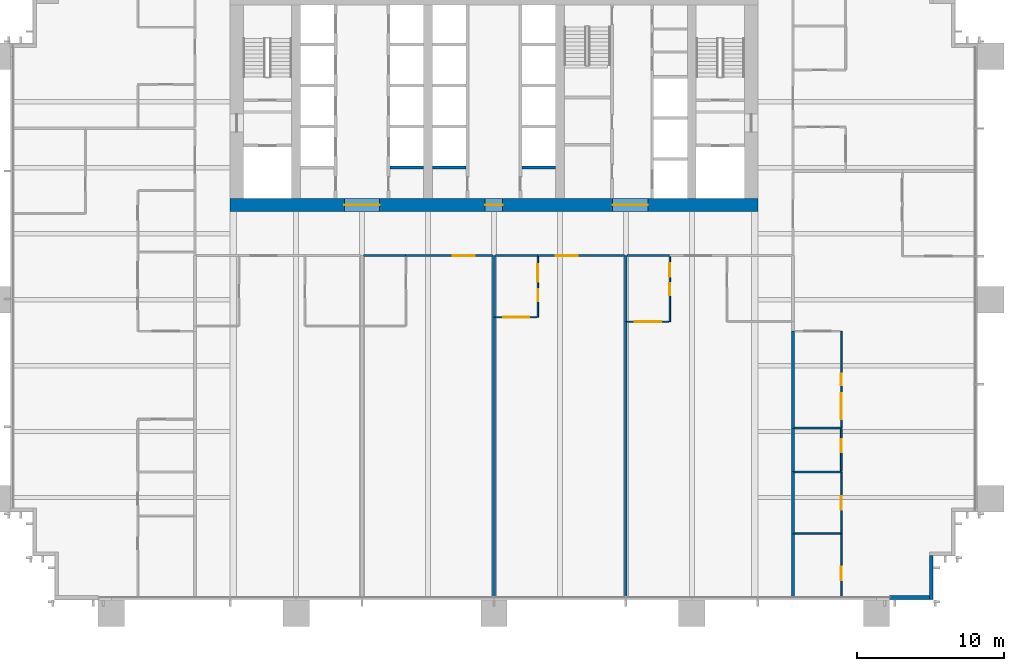
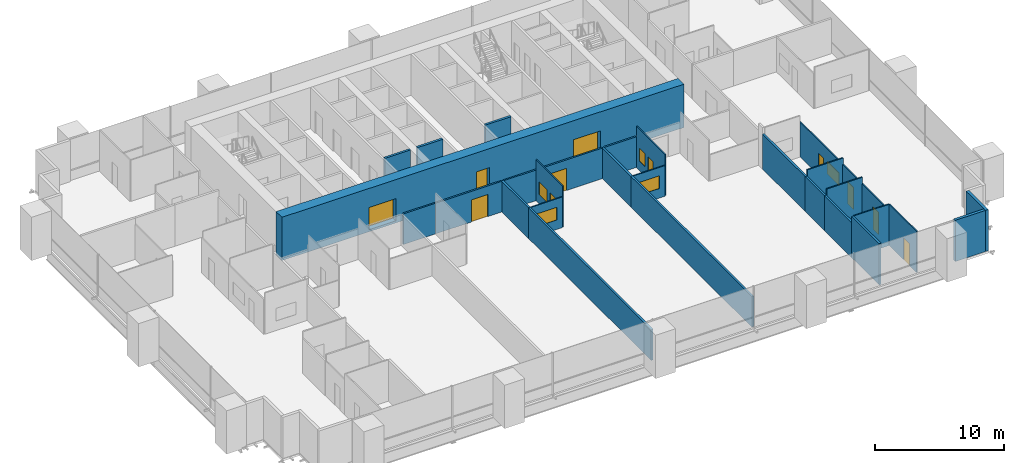
# One storey, part 12 of 18: 30 walls, 11 doors, 5 windows, 16 openings.
"""IFC4 building model written with IfcOpenShell, lengths in metres."""

from ifc_helpers import new_model, si_unit, direction, frame, frame_2d, origin, place, context, subcontext, project, spatial, rectangle, extrude, material, layer, layer_set, type_object, element, fill, save


model = new_model("IFC4")

# Units and contexts
model_context = context("Model", 3, precision=1e-05, world=origin(), true_north=direction((0.0, 1.0)))
body_context = subcontext(model_context, "Body", "Model", "MODEL_VIEW")
ifc_project = project(units=[si_unit("LENGTHUNIT", "METRE"), si_unit("AREAUNIT", "SQUARE_METRE"), si_unit("VOLUMEUNIT", "CUBIC_METRE"), si_unit("PLANEANGLEUNIT", "RADIAN"), si_unit("MASSUNIT", "GRAM", prefix="KILO")], contexts=[model_context])

# Site, building, storey
site_placement = place(None, origin())
site = spatial("IfcSite", under=ifc_project, at=site_placement, CompositionType="ELEMENT")
building_placement = place(site_placement, origin())
building = spatial("IfcBuilding", under=site, at=building_placement, Name="Rattan Terrace Tower", CompositionType="ELEMENT")
storey_placement = place(building_placement, frame((0.0, 0.0, 36.5)))
storey = spatial("IfcBuildingStorey", under=building, at=storey_placement, Name="L07", CompositionType="ELEMENT", Elevation=36.5)

# Wall, openings, doors
ifc_material_1 = material(Name="Concrete C70/85", Category="concrete")
ifc_layer_1 = layer(ifc_material_1, 0.89990234375)
ifc_layer_set_1 = layer_set([ifc_layer_1], Name="Core ring wall 900 C70/85")
wall_type_1 = type_object("IfcWallType", Name="Core ring wall 900 C70/85", PredefinedType="SHEAR", material=ifc_layer_set_1)
wall_1_placement = place(storey_placement, frame((-18.0, -7.050048828125, -0.199951171875), z_axis=(0.0, 0.0, 1.0), x_axis=(1.0, 0.0, 0.0)))
wall_1 = element("IfcWall", 1, at=wall_1_placement, inside=storey, type_object=wall_type_1, Name="Rear core wall south", PredefinedType="SHEAR", context=body_context, shape_type="SweptSolid", body=[
    extrude(rectangle(XDim=36.0, YDim=0.89990234375, at=frame_2d((18.0, 0.0))), origin(), (0.0, 0.0, 1.0), 4.099853515625),
])
opening_1_placement = place(wall_1_placement, frame((7.800048828125, 0.0, 0.199951171875)))
opening_1 = element("IfcOpeningElement", 2, at=opening_1_placement, cuts=wall_1, Name="Opening L07-D007", PredefinedType="OPENING", context=body_context, shape_type="SweptSolid", body=[
    extrude(rectangle(XDim=2.39990234375, YDim=2.10009765625, at=frame_2d((1.199951171875, 1.050048828125))), frame((0.0, 0.46044921875, 0.0), z_axis=(0.0, -1.0, 0.0), x_axis=(1.0, 0.0, 0.0)), (0.0, 0.0, 1.0), 0.9208984375),
])
opening_2_placement = place(wall_1_placement, frame((17.39990234375, 0.0, 0.199951171875)))
opening_2 = element("IfcOpeningElement", 3, at=opening_2_placement, cuts=wall_1, Name="Opening L07-D010", PredefinedType="OPENING", context=body_context, shape_type="SweptSolid", body=[
    extrude(rectangle(XDim=1.199951171875, YDim=2.10009765625, at=frame_2d((0.60009765625, 1.050048828125))), frame((0.0, 0.46044921875, 0.0), z_axis=(0.0, -1.0, 0.0), x_axis=(1.0, 0.0, 0.0)), (0.0, 0.0, 1.0), 0.9208984375),
])
opening_3_placement = place(wall_1_placement, frame((26.10009765625, 0.0, 0.199951171875)))
opening_3 = element("IfcOpeningElement", 4, at=opening_3_placement, cuts=wall_1, Name="Opening L07-D014", PredefinedType="OPENING", context=body_context, shape_type="SweptSolid", body=[
    extrude(rectangle(XDim=2.39990234375, YDim=2.10009765625, at=frame_2d((1.199951171875, 1.050048828125))), frame((0.0, 0.46044921875, 0.0), z_axis=(0.0, -1.0, 0.0), x_axis=(1.0, 0.0, 0.0)), (0.0, 0.0, 1.0), 0.9208984375),
])
ifc_material_2 = material(Name="Hollow-metal fire door leaf")
door_type_1 = type_object("IfcDoorType", Name="Core lift lobby door 2400", OperationType="NOTDEFINED", PredefinedType="DOOR", material=ifc_material_2)
door_1_placement = place(opening_1_placement, origin())
door_1 = element("IfcDoor", 5, at=door_1_placement, inside=storey, type_object=door_type_1, Name="Door L07-D007", OperationType="DOUBLE_DOOR_DOUBLE_SWING", OverallHeight=2.10009765625, OverallWidth=2.39990234375, PredefinedType="DOOR", context=body_context, shape_type="SweptSolid", body=[
    extrude(rectangle(XDim=2.39990234375, YDim=2.10009765625, at=frame_2d((1.199951171875, 1.050048828125))), frame((0.0, 0.02490234375, 0.0), z_axis=(0.0, -1.0, 0.0), x_axis=(1.0, 0.0, 0.0)), (0.0, 0.0, 1.0), 0.050048828125),
])
fill(opening_1, door_1)
door_2_placement = place(opening_3_placement, origin())
door_2 = element("IfcDoor", 6, at=door_2_placement, inside=storey, type_object=door_type_1, Name="Door L07-D014", OperationType="DOUBLE_DOOR_DOUBLE_SWING", OverallHeight=2.10009765625, OverallWidth=2.39990234375, PredefinedType="DOOR", context=body_context, shape_type="SweptSolid", body=[
    extrude(rectangle(XDim=2.39990234375, YDim=2.10009765625, at=frame_2d((1.199951171875, 1.050048828125))), frame((0.0, 0.02490234375, 0.0), z_axis=(0.0, -1.0, 0.0), x_axis=(1.0, 0.0, 0.0)), (0.0, 0.0, 1.0), 0.050048828125),
])
fill(opening_3, door_2)
ifc_material_3 = material(Name="Hollow-metal fire door leaf")
door_type_2 = type_object("IfcDoorType", Name="Core riser door 1200", OperationType="NOTDEFINED", PredefinedType="DOOR", material=ifc_material_3)
door_3_placement = place(opening_2_placement, origin())
door_3 = element("IfcDoor", 7, at=door_3_placement, inside=storey, type_object=door_type_2, Name="Door L07-D010", OperationType="SINGLE_SWING_LEFT", OverallHeight=2.10009765625, OverallWidth=1.199951171875, PredefinedType="DOOR", context=body_context, shape_type="SweptSolid", body=[
    extrude(rectangle(XDim=1.199951171875, YDim=2.10009765625, at=frame_2d((0.60009765625, 1.050048828125))), frame((0.0, 0.02490234375, 0.0), z_axis=(0.0, -1.0, 0.0), x_axis=(1.0, 0.0, 0.0)), (0.0, 0.0, 1.0), 0.050048828125),
])
fill(opening_2, door_3)

# Walls
ifc_material_4 = material(Name="Insulated aluminium-clad stud wall", Category="aluminium")
ifc_layer_2 = layer(ifc_material_4, 0.25)
ifc_layer_set_2 = layer_set([ifc_layer_2], Name="Facade Riser Wall 250")
wall_type_2 = type_object("IfcWallType", Name="Facade Riser Wall 250", PredefinedType="SOLIDWALL", material=ifc_layer_set_2)
wall_2_placement = place(storey_placement, frame((27.0, -33.830078125, 0.0), z_axis=(0.0, 0.0, 1.0), x_axis=(1.0, 0.0, 0.0)))
element("IfcWall", 8, at=wall_2_placement, inside=storey, type_object=wall_type_2, Name="Riser wall L07-1", PredefinedType="SOLIDWALL", context=body_context, shape_type="SweptSolid", body=[
    extrude(rectangle(XDim=2.705078125, YDim=0.25, at=frame_2d((1.3525390625, 0.0))), origin(), (0.0, 0.0, 1.0), 3.89990234375),
])
wall_3_placement = place(storey_placement, frame((29.830078125, -33.955078125, 0.0), z_axis=(0.0, 0.0, 1.0), x_axis=(0.0, 1.0, 0.0)))
element("IfcWall", 9, at=wall_3_placement, inside=storey, type_object=wall_type_2, Name="Riser wall L07-2", PredefinedType="SOLIDWALL", context=body_context, shape_type="SweptSolid", body=[
    extrude(rectangle(XDim=3.0, YDim=0.25, at=frame_2d((1.5, 0.0))), origin(), (0.0, 0.0, 1.0), 3.89990234375),
])
ifc_material_5 = material(Name="Double steel stud acoustic partition, gypsum board, mineral wool, fire rated", Category="steel")
ifc_layer_3 = layer(ifc_material_5, 0.179931640625)
ifc_layer_set_3 = layer_set([ifc_layer_3], Name="Floors Acoustic Party Wall 180")
wall_type_3 = type_object("IfcWallType", Name="Floors Acoustic Party Wall 180", PredefinedType="PARTITIONING", material=ifc_layer_set_3)
wall_4_placement = place(storey_placement, frame((0.0, -14.679931640625, 0.0), z_axis=(0.0, 0.0, 1.0), x_axis=(0.0, -1.0, 0.0)))
element("IfcWall", 10, at=wall_4_placement, inside=storey, type_object=wall_type_3, Name="pt-L07-056", PredefinedType="PARTITIONING", context=body_context, shape_type="SweptSolid", body=[
    extrude(rectangle(XDim=19.06005859375, YDim=0.179931640625, at=frame_2d((9.530029296875, 0.0))), origin(), (0.0, 0.0, 1.0), 2.89990234375),
])
wall_5_placement = place(storey_placement, frame((0.0, -10.5, 0.0), z_axis=(0.0, 0.0, 1.0), x_axis=(0.0, -1.0, 0.0)))
element("IfcWall", 11, at=wall_5_placement, inside=storey, type_object=wall_type_3, Name="pt-L07-057", PredefinedType="PARTITIONING", context=body_context, shape_type="SweptSolid", body=[
    extrude(rectangle(XDim=4.179931640625, YDim=0.179931640625, at=frame_2d((2.08984375, 0.0))), origin(), (0.0, 0.0, 1.0), 2.89990234375),
])
wall_6_placement = place(storey_placement, frame((9.0, -14.97998046875, 0.0), z_axis=(0.0, 0.0, 1.0), x_axis=(0.0, -1.0, 0.0)))
element("IfcWall", 12, at=wall_6_placement, inside=storey, type_object=wall_type_3, Name="pt-L07-060", PredefinedType="PARTITIONING", context=body_context, shape_type="SweptSolid", body=[
    extrude(rectangle(XDim=18.760009765625, YDim=0.179931640625, at=frame_2d((9.3798828125, 0.0))), origin(), (0.0, 0.0, 1.0), 2.89990234375),
])
wall_7_placement = place(storey_placement, frame((9.0, -10.5, 0.0), z_axis=(0.0, 0.0, 1.0), x_axis=(0.0, -1.0, 0.0)))
element("IfcWall", 13, at=wall_7_placement, inside=storey, type_object=wall_type_3, Name="pt-L07-061", PredefinedType="PARTITIONING", context=body_context, shape_type="SweptSolid", body=[
    extrude(rectangle(XDim=4.47998046875, YDim=0.179931640625, at=frame_2d((2.239990234375, 0.0))), origin(), (0.0, 0.0, 1.0), 2.89990234375),
])
wall_8_placement = place(storey_placement, frame((20.39990234375, -29.47998046875, 0.0), z_axis=(0.0, 0.0, 1.0), x_axis=(0.0, -1.0, 0.0)))
element("IfcWall", 14, at=wall_8_placement, inside=storey, type_object=wall_type_3, Name="pt-L07-067", PredefinedType="PARTITIONING", context=body_context, shape_type="SweptSolid", body=[
    extrude(rectangle(XDim=4.260009765625, YDim=0.179931640625, at=frame_2d((2.1298828125, 0.0))), origin(), (0.0, 0.0, 1.0), 3.89990234375),
])
wall_9_placement = place(storey_placement, frame((20.39990234375, -25.239990234375, 0.0), z_axis=(0.0, 0.0, 1.0), x_axis=(0.0, -1.0, 0.0)))
element("IfcWall", 15, at=wall_9_placement, inside=storey, type_object=wall_type_3, Name="pt-L07-068", PredefinedType="PARTITIONING", context=body_context, shape_type="SweptSolid", body=[
    extrude(rectangle(XDim=4.239990234375, YDim=0.179931640625, at=frame_2d((2.1201171875, 0.0))), origin(), (0.0, 0.0, 1.0), 3.300048828125),
])
wall_10_placement = place(storey_placement, frame((20.39990234375, -22.280029296875, 0.0), z_axis=(0.0, 0.0, 1.0), x_axis=(0.0, -1.0, 0.0)))
element("IfcWall", 16, at=wall_10_placement, inside=storey, type_object=wall_type_3, Name="pt-L07-069", PredefinedType="PARTITIONING", context=body_context, shape_type="SweptSolid", body=[
    extrude(rectangle(XDim=2.9599609375, YDim=0.179931640625, at=frame_2d((1.47998046875, 0.0))), origin(), (0.0, 0.0, 1.0), 3.300048828125),
])
wall_11_placement = place(storey_placement, frame((20.39990234375, -15.639892578125, 0.0), z_axis=(0.0, 0.0, 1.0), x_axis=(0.0, -1.0, 0.0)))
element("IfcWall", 17, at=wall_11_placement, inside=storey, type_object=wall_type_3, Name="pt-L07-070", PredefinedType="PARTITIONING", context=body_context, shape_type="SweptSolid", body=[
    extrude(rectangle(XDim=6.64013671875, YDim=0.179931640625, at=frame_2d((3.320068359375, 0.0))), origin(), (0.0, 0.0, 1.0), 3.300048828125),
])

# Wall, opening, window
ifc_material_6 = material(Name="Gypsum board partition on steel studs", Category="steel")
ifc_layer_4 = layer(ifc_material_6, 0.10009765625)
ifc_layer_set_4 = layer_set([ifc_layer_4], Name="Floors Partition 100")
wall_type_4 = type_object("IfcWallType", Name="Floors Partition 100", PredefinedType="PARTITIONING", material=ifc_layer_set_4)
wall_12_placement = place(storey_placement, frame((0.090087890625, -14.699951171875, 0.0), z_axis=(0.0, 0.0, 1.0), x_axis=(1.0, 0.0, 0.0)))
wall_12 = element("IfcWall", 18, at=wall_12_placement, inside=storey, type_object=wall_type_4, Name="pt-L07-058", PredefinedType="PARTITIONING", context=body_context, shape_type="SweptSolid", body=[
    extrude(rectangle(XDim=2.85986328125, YDim=0.10009765625, at=frame_2d((1.429931640625, 0.0))), origin(), (0.0, 0.0, 1.0), 2.89990234375),
])
opening_4_placement = place(wall_12_placement, frame((0.530029296875, 0.0, 0.89990234375)))
opening_4 = element("IfcOpeningElement", 19, at=opening_4_placement, cuts=wall_12, Name="Opening L07-W102", PredefinedType="OPENING", context=body_context, shape_type="SweptSolid", body=[
    extrude(rectangle(XDim=1.800048828125, YDim=1.199951171875, at=frame_2d((0.89990234375, 0.60009765625))), frame((0.0, 0.060546875, 0.0), z_axis=(0.0, -1.0, 0.0), x_axis=(1.0, 0.0, 0.0)), (0.0, 0.0, 1.0), 0.12109375),
])
ifc_material_7 = material(Name="Glass, clear, fixed in aluminium frame", Category="aluminium")
window_type_1 = type_object("IfcWindowType", Name="Interior Vision Window 1800x1200", PartitioningType="SINGLE_PANEL", PredefinedType="WINDOW", material=ifc_material_7)
window_1_placement = place(opening_4_placement, origin())
window_1 = element("IfcWindow", 20, at=window_1_placement, inside=storey, type_object=window_type_1, Name="w-L07-102", OverallHeight=1.199951171875, OverallWidth=1.800048828125, PartitioningType="SINGLE_PANEL", PredefinedType="WINDOW", context=body_context, shape_type="SweptSolid", body=[
    extrude(rectangle(XDim=1.800048828125, YDim=1.199951171875, at=frame_2d((0.89990234375, 0.60009765625))), frame((0.0, 0.030029296875, 0.0), z_axis=(0.0, -1.0, 0.0), x_axis=(1.0, 0.0, 0.0)), (0.0, 0.0, 1.0), 0.06005859375),
])
fill(opening_4, window_1)

# Wall, openings, door, window
wall_13_placement = place(storey_placement, frame((3.0, -14.699951171875, 0.0), z_axis=(0.0, 0.0, 1.0), x_axis=(0.0, 1.0, 0.0)))
wall_13 = element("IfcWall", 21, at=wall_13_placement, inside=storey, type_object=wall_type_4, Name="pt-L07-059", PredefinedType="PARTITIONING", context=body_context, shape_type="SweptSolid", body=[
    extrude(rectangle(XDim=4.125, YDim=0.10009765625, at=frame_2d((2.0625, 0.0))), origin(), (0.0, 0.0, 1.0), 3.89990234375),
])
opening_5_placement = place(wall_13_placement, frame((1.097900390625, 0.0, 0.0)))
opening_5 = element("IfcOpeningElement", 22, at=opening_5_placement, cuts=wall_13, Name="Opening L07-D116", PredefinedType="OPENING", context=body_context, shape_type="SweptSolid", body=[
    extrude(rectangle(XDim=0.800048828125, YDim=2.10009765625, at=frame_2d((0.39990234375, 1.050048828125))), frame((0.0, 0.060546875, 0.0), z_axis=(0.0, -1.0, 0.0), x_axis=(1.0, 0.0, 0.0)), (0.0, 0.0, 1.0), 0.12109375),
])
opening_6_placement = place(wall_13_placement, frame((2.410888671875, 0.0, 0.89990234375)))
opening_6 = element("IfcOpeningElement", 23, at=opening_6_placement, cuts=wall_13, Name="Opening L07-W103", PredefinedType="OPENING", context=body_context, shape_type="SweptSolid", body=[
    extrude(rectangle(XDim=1.199951171875, YDim=1.199951171875, at=frame_2d((0.60009765625, 0.60009765625))), frame((0.0, 0.060546875, 0.0), z_axis=(0.0, -1.0, 0.0), x_axis=(1.0, 0.0, 0.0)), (0.0, 0.0, 1.0), 0.12109375),
])
ifc_material_8 = material(Name="Solid core timber door, painted", Category="wood")
door_type_3 = type_object("IfcDoorType", Name="Floors Store Door 800x2100", OperationType="NOTDEFINED", PredefinedType="DOOR", material=ifc_material_8)
door_4_placement = place(opening_5_placement, origin())
door_4 = element("IfcDoor", 24, at=door_4_placement, inside=storey, type_object=door_type_3, Name="d-L07-116", OperationType="SINGLE_SWING_LEFT", OverallHeight=2.10009765625, OverallWidth=0.800048828125, PredefinedType="DOOR", context=body_context, shape_type="SweptSolid", body=[
    extrude(rectangle(XDim=0.800048828125, YDim=2.10009765625, at=frame_2d((0.39990234375, 1.050048828125))), frame((0.0, 0.02490234375, 0.0), z_axis=(0.0, -1.0, 0.0), x_axis=(1.0, 0.0, 0.0)), (0.0, 0.0, 1.0), 0.050048828125),
])
fill(opening_5, door_4)
ifc_material_9 = material(Name="Glass, clear, fixed in aluminium frame", Category="aluminium")
window_type_2 = type_object("IfcWindowType", Name="Interior Vision Window 1200x1200", PartitioningType="SINGLE_PANEL", PredefinedType="WINDOW", material=ifc_material_9)
window_2_placement = place(opening_6_placement, origin())
window_2 = element("IfcWindow", 25, at=window_2_placement, inside=storey, type_object=window_type_2, Name="w-L07-103", OverallHeight=1.199951171875, OverallWidth=1.199951171875, PartitioningType="SINGLE_PANEL", PredefinedType="WINDOW", context=body_context, shape_type="SweptSolid", body=[
    extrude(rectangle(XDim=1.199951171875, YDim=1.199951171875, at=frame_2d((0.60009765625, 0.60009765625))), frame((0.0, 0.030029296875, 0.0), z_axis=(0.0, -1.0, 0.0), x_axis=(1.0, 0.0, 0.0)), (0.0, 0.0, 1.0), 0.06005859375),
])
fill(opening_6, window_2)

# Wall, opening, window
wall_14_placement = place(storey_placement, frame((9.090087890625, -15.0, 0.0), z_axis=(0.0, 0.0, 1.0), x_axis=(1.0, 0.0, 0.0)))
wall_14 = element("IfcWall", 26, at=wall_14_placement, inside=storey, type_object=wall_type_4, Name="pt-L07-062", PredefinedType="PARTITIONING", context=body_context, shape_type="SweptSolid", body=[
    extrude(rectangle(XDim=2.85986328125, YDim=0.10009765625, at=frame_2d((1.429931640625, 0.0))), origin(), (0.0, 0.0, 1.0), 2.89990234375),
])
opening_7_placement = place(wall_14_placement, frame((0.530029296875, 0.0, 0.89990234375)))
opening_7 = element("IfcOpeningElement", 27, at=opening_7_placement, cuts=wall_14, Name="Opening L07-W104", PredefinedType="OPENING", context=body_context, shape_type="SweptSolid", body=[
    extrude(rectangle(XDim=1.800048828125, YDim=1.199951171875, at=frame_2d((0.89990234375, 0.60009765625))), frame((0.0, 0.060546875, 0.0), z_axis=(0.0, -1.0, 0.0), x_axis=(1.0, 0.0, 0.0)), (0.0, 0.0, 1.0), 0.12109375),
])
window_3_placement = place(opening_7_placement, origin())
window_3 = element("IfcWindow", 28, at=window_3_placement, inside=storey, type_object=window_type_1, Name="w-L07-104", OverallHeight=1.199951171875, OverallWidth=1.800048828125, PartitioningType="SINGLE_PANEL", PredefinedType="WINDOW", context=body_context, shape_type="SweptSolid", body=[
    extrude(rectangle(XDim=1.800048828125, YDim=1.199951171875, at=frame_2d((0.89990234375, 0.60009765625))), frame((0.0, 0.030029296875, 0.0), z_axis=(0.0, -1.0, 0.0), x_axis=(1.0, 0.0, 0.0)), (0.0, 0.0, 1.0), 0.06005859375),
])
fill(opening_7, window_3)

# Wall, openings, door, window
wall_15_placement = place(storey_placement, frame((12.0, -15.0, 0.0), z_axis=(0.0, 0.0, 1.0), x_axis=(0.0, 1.0, 0.0)))
wall_15 = element("IfcWall", 29, at=wall_15_placement, inside=storey, type_object=wall_type_4, Name="pt-L07-063", PredefinedType="PARTITIONING", context=body_context, shape_type="SweptSolid", body=[
    extrude(rectangle(XDim=4.425048828125, YDim=0.10009765625, at=frame_2d((2.21240234375, 0.0))), origin(), (0.0, 0.0, 1.0), 3.89990234375),
])
opening_8_placement = place(wall_15_placement, frame((1.81298828125, 0.0, 0.0)))
opening_8 = element("IfcOpeningElement", 30, at=opening_8_placement, cuts=wall_15, Name="Opening L07-D118", PredefinedType="OPENING", context=body_context, shape_type="SweptSolid", body=[
    extrude(rectangle(XDim=0.800048828125, YDim=2.10009765625, at=frame_2d((0.39990234375, 1.050048828125))), frame((0.0, 0.060546875, 0.0), z_axis=(0.0, -1.0, 0.0), x_axis=(1.0, 0.0, 0.0)), (0.0, 0.0, 1.0), 0.12109375),
])
opening_9_placement = place(wall_15_placement, frame((3.069091796875, 0.0, 0.89990234375)))
opening_9 = element("IfcOpeningElement", 31, at=opening_9_placement, cuts=wall_15, Name="Opening L07-W105", PredefinedType="OPENING", context=body_context, shape_type="SweptSolid", body=[
    extrude(rectangle(XDim=0.89990234375, YDim=1.199951171875, at=frame_2d((0.449951171875, 0.60009765625))), frame((0.0, 0.060546875, 0.0), z_axis=(0.0, -1.0, 0.0), x_axis=(1.0, 0.0, 0.0)), (0.0, 0.0, 1.0), 0.12109375),
])
door_5_placement = place(opening_8_placement, origin())
door_5 = element("IfcDoor", 32, at=door_5_placement, inside=storey, type_object=door_type_3, Name="d-L07-118", OperationType="SINGLE_SWING_LEFT", OverallHeight=2.10009765625, OverallWidth=0.800048828125, PredefinedType="DOOR", context=body_context, shape_type="SweptSolid", body=[
    extrude(rectangle(XDim=0.800048828125, YDim=2.10009765625, at=frame_2d((0.39990234375, 1.050048828125))), frame((0.0, 0.02490234375, 0.0), z_axis=(0.0, -1.0, 0.0), x_axis=(1.0, 0.0, 0.0)), (0.0, 0.0, 1.0), 0.050048828125),
])
fill(opening_8, door_5)
ifc_material_10 = material(Name="Glass, clear, fixed in aluminium frame", Category="aluminium")
window_type_3 = type_object("IfcWindowType", Name="Interior Vision Window 900x1200", PartitioningType="SINGLE_PANEL", PredefinedType="WINDOW", material=ifc_material_10)
window_4_placement = place(opening_9_placement, origin())
window_4 = element("IfcWindow", 33, at=window_4_placement, inside=storey, type_object=window_type_3, Name="w-L07-105", OverallHeight=1.199951171875, OverallWidth=0.89990234375, PartitioningType="SINGLE_PANEL", PredefinedType="WINDOW", context=body_context, shape_type="SweptSolid", body=[
    extrude(rectangle(XDim=0.89990234375, YDim=1.199951171875, at=frame_2d((0.449951171875, 0.60009765625))), frame((0.0, 0.030029296875, 0.0), z_axis=(0.0, -1.0, 0.0), x_axis=(1.0, 0.0, 0.0)), (0.0, 0.0, 1.0), 0.06005859375),
])
fill(opening_9, window_4)

# Wall, opening, door
wall_16_placement = place(storey_placement, frame((23.699951171875, -33.739990234375, 0.0), z_axis=(0.0, 0.0, 1.0), x_axis=(0.0, 1.0, 0.0)))
wall_16 = element("IfcWall", 34, at=wall_16_placement, inside=storey, type_object=wall_type_4, Name="pt-L07-074", PredefinedType="PARTITIONING", context=body_context, shape_type="SweptSolid", body=[
    extrude(rectangle(XDim=4.260009765625, YDim=0.10009765625, at=frame_2d((2.1298828125, 0.0))), origin(), (0.0, 0.0, 1.0), 3.89990234375),
])
opening_10_placement = place(wall_16_placement, frame((1.10791015625, 0.0, 0.0)))
opening_10 = element("IfcOpeningElement", 35, at=opening_10_placement, cuts=wall_16, Name="Opening L07-D122", PredefinedType="OPENING", context=body_context, shape_type="SweptSolid", body=[
    extrude(rectangle(XDim=0.89990234375, YDim=2.10009765625, at=frame_2d((0.449951171875, 1.050048828125))), frame((0.0, 0.060546875, 0.0), z_axis=(0.0, -1.0, 0.0), x_axis=(1.0, 0.0, 0.0)), (0.0, 0.0, 1.0), 0.12109375),
])
ifc_material_11 = material(Name="Solid core timber door, painted", Category="wood")
door_type_4 = type_object("IfcDoorType", Name="Floors Door 900x2100", OperationType="NOTDEFINED", PredefinedType="DOOR", material=ifc_material_11)
door_6_placement = place(opening_10_placement, origin())
door_6 = element("IfcDoor", 36, at=door_6_placement, inside=storey, type_object=door_type_4, Name="d-L07-122", OperationType="SINGLE_SWING_LEFT", OverallHeight=2.10009765625, OverallWidth=0.89990234375, PredefinedType="DOOR", context=body_context, shape_type="SweptSolid", body=[
    extrude(rectangle(XDim=0.89990234375, YDim=2.10009765625, at=frame_2d((0.449951171875, 1.050048828125))), frame((0.0, 0.02490234375, 0.0), z_axis=(0.0, -1.0, 0.0), x_axis=(1.0, 0.0, 0.0)), (0.0, 0.0, 1.0), 0.050048828125),
])
fill(opening_10, door_6)

wall_17_placement = place(storey_placement, frame((23.699951171875, -29.47998046875, 0.0), z_axis=(0.0, 0.0, 1.0), x_axis=(0.0, 1.0, 0.0)))
wall_17 = element("IfcWall", 37, at=wall_17_placement, inside=storey, type_object=wall_type_4, Name="pt-L07-075", PredefinedType="PARTITIONING", context=body_context, shape_type="SweptSolid", body=[
    extrude(rectangle(XDim=4.199951171875, YDim=0.10009765625, at=frame_2d((2.10009765625, 0.0))), origin(), (0.0, 0.0, 1.0), 3.300048828125),
])
opening_11_placement = place(wall_17_placement, frame((1.64990234375, 0.0, 0.0)))
opening_11 = element("IfcOpeningElement", 38, at=opening_11_placement, cuts=wall_17, Name="Opening L07-D123", PredefinedType="OPENING", context=body_context, shape_type="SweptSolid", body=[
    extrude(rectangle(XDim=0.89990234375, YDim=2.10009765625, at=frame_2d((0.449951171875, 1.050048828125))), frame((0.0, 0.060546875, 0.0), z_axis=(0.0, -1.0, 0.0), x_axis=(1.0, 0.0, 0.0)), (0.0, 0.0, 1.0), 0.12109375),
])
door_7_placement = place(opening_11_placement, origin())
door_7 = element("IfcDoor", 39, at=door_7_placement, inside=storey, type_object=door_type_4, Name="d-L07-123", OperationType="SINGLE_SWING_RIGHT", OverallHeight=2.10009765625, OverallWidth=0.89990234375, PredefinedType="DOOR", context=body_context, shape_type="SweptSolid", body=[
    extrude(rectangle(XDim=0.89990234375, YDim=2.10009765625, at=frame_2d((0.449951171875, 1.050048828125))), frame((0.0, 0.02490234375, 0.0), z_axis=(0.0, -1.0, 0.0), x_axis=(1.0, 0.0, 0.0)), (0.0, 0.0, 1.0), 0.050048828125),
])
fill(opening_11, door_7)

# Wall, openings, door, window
wall_18_placement = place(storey_placement, frame((23.699951171875, -22.239990234375, 0.0), z_axis=(0.0, 0.0, 1.0), x_axis=(0.0, 1.0, 0.0)))
wall_18 = element("IfcWall", 40, at=wall_18_placement, inside=storey, type_object=wall_type_4, Name="pt-L07-078", PredefinedType="PARTITIONING", context=body_context, shape_type="SweptSolid", body=[
    extrude(rectangle(XDim=6.580078125, YDim=0.10009765625, at=frame_2d((3.2900390625, 0.0))), origin(), (0.0, 0.0, 1.0), 3.300048828125),
])
opening_12_placement = place(wall_18_placement, frame((2.889892578125, 0.0, 0.0)))
opening_12 = element("IfcOpeningElement", 41, at=opening_12_placement, cuts=wall_18, Name="Opening L07-D125", PredefinedType="OPENING", context=body_context, shape_type="SweptSolid", body=[
    extrude(rectangle(XDim=0.800048828125, YDim=2.10009765625, at=frame_2d((0.39990234375, 1.050048828125))), frame((0.0, 0.060546875, 0.0), z_axis=(0.0, -1.0, 0.0), x_axis=(1.0, 0.0, 0.0)), (0.0, 0.0, 1.0), 0.12109375),
])
opening_13_placement = place(wall_18_placement, frame((0.56494140625, 0.0, 0.89990234375)))
opening_13 = element("IfcOpeningElement", 42, at=opening_13_placement, cuts=wall_18, Name="Opening L07-W109", PredefinedType="OPENING", context=body_context, shape_type="SweptSolid", body=[
    extrude(rectangle(XDim=1.800048828125, YDim=1.199951171875, at=frame_2d((0.89990234375, 0.60009765625))), frame((0.0, 0.060546875, 0.0), z_axis=(0.0, -1.0, 0.0), x_axis=(1.0, 0.0, 0.0)), (0.0, 0.0, 1.0), 0.12109375),
])
door_8_placement = place(opening_12_placement, origin())
door_8 = element("IfcDoor", 43, at=door_8_placement, inside=storey, type_object=door_type_3, Name="d-L07-125", OperationType="SINGLE_SWING_RIGHT", OverallHeight=2.10009765625, OverallWidth=0.800048828125, PredefinedType="DOOR", context=body_context, shape_type="SweptSolid", body=[
    extrude(rectangle(XDim=0.800048828125, YDim=2.10009765625, at=frame_2d((0.39990234375, 1.050048828125))), frame((0.0, 0.02490234375, 0.0), z_axis=(0.0, -1.0, 0.0), x_axis=(1.0, 0.0, 0.0)), (0.0, 0.0, 1.0), 0.050048828125),
])
fill(opening_12, door_8)
window_5_placement = place(opening_13_placement, origin())
window_5 = element("IfcWindow", 44, at=window_5_placement, inside=storey, type_object=window_type_1, Name="w-L07-109", OverallHeight=1.199951171875, OverallWidth=1.800048828125, PartitioningType="SINGLE_PANEL", PredefinedType="WINDOW", context=body_context, shape_type="SweptSolid", body=[
    extrude(rectangle(XDim=1.800048828125, YDim=1.199951171875, at=frame_2d((0.89990234375, 0.60009765625))), frame((0.0, 0.030029296875, 0.0), z_axis=(0.0, -1.0, 0.0), x_axis=(1.0, 0.0, 0.0)), (0.0, 0.0, 1.0), 0.06005859375),
])
fill(opening_13, window_5)

# Wall
wall_19_placement = place(storey_placement, frame((20.489990234375, -29.4599609375, 0.0), z_axis=(0.0, 0.0, 1.0), x_axis=(1.0, 0.0, 0.0)))
element("IfcWall", 45, at=wall_19_placement, inside=storey, type_object=wall_type_4, Name="pt-L07-082", PredefinedType="PARTITIONING", context=body_context, shape_type="SweptSolid", body=[
    extrude(rectangle(XDim=3.159912109375, YDim=0.10009765625, at=frame_2d((1.580078125, 0.0))), origin(), (0.0, 0.0, 1.0), 3.89990234375),
])

# Wall, opening, door
ifc_material_12 = material(Name="Gypsum board partition on steel studs, fire rated", Category="steel")
ifc_layer_5 = layer(ifc_material_12, 0.14990234375)
ifc_layer_set_5 = layer_set([ifc_layer_5], Name="Floors Tenancy Wall 150")
wall_type_5 = type_object("IfcWallType", Name="Floors Tenancy Wall 150", PredefinedType="PARTITIONING", material=ifc_layer_set_5)
wall_20_placement = place(storey_placement, frame((-0.090087890625, -10.5, 0.0), z_axis=(0.0, 0.0, 1.0), x_axis=(-1.0, 0.0, 0.0)))
wall_20 = element("IfcWall", 46, at=wall_20_placement, inside=storey, type_object=wall_type_5, Name="pt-L07-010", PredefinedType="PARTITIONING", context=body_context, shape_type="SweptSolid", body=[
    extrude(rectangle(XDim=5.929931640625, YDim=0.14990234375, at=frame_2d((2.96484375, 0.0))), origin(), (0.0, 0.0, 1.0), 2.89990234375),
])
opening_14_placement = place(wall_20_placement, frame((1.23193359375, 0.0, 0.0)))
opening_14 = element("IfcOpeningElement", 47, at=opening_14_placement, cuts=wall_20, Name="Opening L07-D113", PredefinedType="OPENING", context=body_context, shape_type="SweptSolid", body=[
    extrude(rectangle(XDim=1.5, YDim=2.10009765625, at=frame_2d((0.75, 1.050048828125))), frame((0.0, 0.08544921875, 0.0), z_axis=(0.0, -1.0, 0.0), x_axis=(1.0, 0.0, 0.0)), (0.0, 0.0, 1.0), 0.1708984375),
])
ifc_material_13 = material(Name="Steel fire door set", Category="steel")
door_type_5 = type_object("IfcDoorType", Name="Floors Unit Door Pair FD30S 1500x2100", OperationType="NOTDEFINED", PredefinedType="DOOR", material=ifc_material_13)
door_9_placement = place(opening_14_placement, origin())
door_9 = element("IfcDoor", 48, at=door_9_placement, inside=storey, type_object=door_type_5, Name="d-L07-113", OperationType="DOUBLE_DOOR_SINGLE_SWING", OverallHeight=2.10009765625, OverallWidth=1.5, PredefinedType="DOOR", context=body_context, shape_type="SweptSolid", body=[
    extrude(rectangle(XDim=1.5, YDim=2.10009765625, at=frame_2d((0.75, 1.050048828125))), frame((0.0, 0.02490234375, 0.0), z_axis=(0.0, -1.0, 0.0), x_axis=(1.0, 0.0, 0.0)), (0.0, 0.0, 1.0), 0.050048828125),
])
fill(opening_14, door_9)

# Wall
wall_21_placement = place(storey_placement, frame((-6.02001953125, -10.5, 0.0), z_axis=(0.0, 0.0, 1.0), x_axis=(-1.0, 0.0, 0.0)))
element("IfcWall", 49, at=wall_21_placement, inside=storey, type_object=wall_type_5, Name="pt-L07-011", PredefinedType="PARTITIONING", context=body_context, shape_type="SweptSolid", body=[
    extrude(rectangle(XDim=2.889892578125, YDim=0.14990234375, at=frame_2d((1.44482421875, 0.0))), origin(), (0.0, 0.0, 1.0), 2.89990234375),
])

# Wall, opening, door
wall_22_placement = place(storey_placement, frame((8.909912109375, -10.5, 0.0), z_axis=(0.0, 0.0, 1.0), x_axis=(-1.0, 0.0, 0.0)))
wall_22 = element("IfcWall", 50, at=wall_22_placement, inside=storey, type_object=wall_type_5, Name="pt-L07-012", PredefinedType="PARTITIONING", context=body_context, shape_type="SweptSolid", body=[
    extrude(rectangle(XDim=5.929931640625, YDim=0.14990234375, at=frame_2d((2.96484375, 0.0))), origin(), (0.0, 0.0, 1.0), 2.89990234375),
])
opening_15_placement = place(wall_22_placement, frame((3.197021484375, 0.0, 0.0)))
opening_15 = element("IfcOpeningElement", 51, at=opening_15_placement, cuts=wall_22, Name="Opening L07-D115", PredefinedType="OPENING", context=body_context, shape_type="SweptSolid", body=[
    extrude(rectangle(XDim=1.5, YDim=2.10009765625, at=frame_2d((0.75, 1.050048828125))), frame((0.0, 0.08544921875, 0.0), z_axis=(0.0, -1.0, 0.0), x_axis=(1.0, 0.0, 0.0)), (0.0, 0.0, 1.0), 0.1708984375),
])
door_10_placement = place(opening_15_placement, origin())
door_10 = element("IfcDoor", 52, at=door_10_placement, inside=storey, type_object=door_type_5, Name="d-L07-115", OperationType="DOUBLE_DOOR_SINGLE_SWING", OverallHeight=2.10009765625, OverallWidth=1.5, PredefinedType="DOOR", context=body_context, shape_type="SweptSolid", body=[
    extrude(rectangle(XDim=1.5, YDim=2.10009765625, at=frame_2d((0.75, 1.050048828125))), frame((0.0, 0.02490234375, 0.0), z_axis=(0.0, -1.0, 0.0), x_axis=(1.0, 0.0, 0.0)), (0.0, 0.0, 1.0), 0.050048828125),
])
fill(opening_15, door_10)

# Walls
for number, where, z_axis, x_axis, name in (
    (53, (2.97998046875, -10.5, 0.0), (0.0, 0.0, 1.0), (-1.0, 0.0, 0.0), "pt-L07-013"),
    (54, (11.97998046875, -10.5, 0.0), (0.0, 0.0, 1.0), (-1.0, 0.0, 0.0), "pt-L07-015"),
):
    element("IfcWall", number, at=place(storey_placement, frame(where, z_axis=z_axis, x_axis=x_axis)), inside=storey, type_object=wall_type_5, Name=name, PredefinedType="PARTITIONING", context=body_context, shape_type="SweptSolid", body=[
        extrude(rectangle(XDim=2.889892578125, YDim=0.14990234375, at=frame_2d((1.44482421875, 0.0))), origin(), (0.0, 0.0, 1.0), 2.89990234375),
    ])

# Wall, opening, door
ifc_material_14 = material(Name="Moisture resistant gypsum board partition on steel studs with service cavity", Category="steel")
ifc_layer_6 = layer(ifc_material_14, 0.1201171875)
ifc_layer_set_6 = layer_set([ifc_layer_6], Name="Floors Wet Wall 120")
wall_type_6 = type_object("IfcWallType", Name="Floors Wet Wall 120", PredefinedType="PARTITIONING", material=ifc_layer_set_6)
wall_23_placement = place(storey_placement, frame((23.700927734375, -25.199951171875, 0.0), z_axis=(0.0, 0.0, 1.0), x_axis=(0.0, 1.0, 0.0)))
wall_23 = element("IfcWall", 55, at=wall_23_placement, inside=storey, type_object=wall_type_6, Name="pt-L07-076", PredefinedType="PARTITIONING", context=body_context, shape_type="SweptSolid", body=[
    extrude(rectangle(XDim=2.8798828125, YDim=0.1201171875, at=frame_2d((1.43994140625, 0.0))), origin(), (0.0, 0.0, 1.0), 3.300048828125),
])
opening_16_placement = place(wall_23_placement, frame((1.285888671875, 0.0, 0.0)))
opening_16 = element("IfcOpeningElement", 56, at=opening_16_placement, cuts=wall_23, Name="Opening L07-D124", PredefinedType="OPENING", context=body_context, shape_type="SweptSolid", body=[
    extrude(rectangle(XDim=0.89990234375, YDim=2.10009765625, at=frame_2d((0.449951171875, 1.050048828125))), frame((0.0, 0.070556640625, 0.0), z_axis=(0.0, -1.0, 0.0), x_axis=(1.0, 0.0, 0.0)), (0.0, 0.0, 1.0), 0.14111328125),
])
door_11_placement = place(opening_16_placement, origin())
door_11 = element("IfcDoor", 57, at=door_11_placement, inside=storey, type_object=door_type_4, Name="d-L07-124", OperationType="SINGLE_SWING_RIGHT", OverallHeight=2.10009765625, OverallWidth=0.89990234375, PredefinedType="DOOR", context=body_context, shape_type="SweptSolid", body=[
    extrude(rectangle(XDim=0.89990234375, YDim=2.10009765625, at=frame_2d((0.449951171875, 1.050048828125))), frame((0.0, 0.02490234375, 0.0), z_axis=(0.0, -1.0, 0.0), x_axis=(1.0, 0.0, 0.0)), (0.0, 0.0, 1.0), 0.050048828125),
])
fill(opening_16, door_11)

# Walls
for number, where, z_axis, x_axis, name in (
    (58, (20.489990234375, -25.260009765625, 0.0), (0.0, 0.0, 1.0), (1.0, 0.0, 0.0), "pt-L07-083"),
    (59, (20.489990234375, -22.260009765625, 0.0), (0.0, 0.0, 1.0), (1.0, 0.0, 0.0), "pt-L07-084"),
):
    element("IfcWall", number, at=place(storey_placement, frame(where, z_axis=z_axis, x_axis=x_axis)), inside=storey, type_object=wall_type_6, Name=name, PredefinedType="PARTITIONING", context=body_context, shape_type="SweptSolid", body=[
        extrude(rectangle(XDim=3.2099609375, YDim=0.1201171875, at=frame_2d((1.60498046875, 0.0))), origin(), (0.0, 0.0, 1.0), 3.89990234375),
    ])
ifc_material_15 = material(Name="Gypsum shaft wall system")
ifc_layer_7 = layer(ifc_material_15, 0.199951171875)
ifc_layer_set_7 = layer_set([ifc_layer_7], Name="Lift shaft wall 200")
wall_type_7 = type_object("IfcWallType", Name="Lift shaft wall 200", PredefinedType="PARTITIONING", material=ifc_layer_set_7)
for number, where, z_axis, x_axis, name in (
    (60, (-7.10009765625, -4.5, 0.0), (0.0, 0.0, 1.0), (1.0, 0.0, 0.0), "Lift shaft wall"),
    (61, (-4.199951171875, -4.5, 0.0), (0.0, 0.0, 1.0), (1.0, 0.0, 0.0), "Lift shaft wall"),
    (62, (1.89990234375, -4.5, 0.0), (0.0, 0.0, 1.0), (1.0, 0.0, 0.0), "Lift shaft wall"),
):
    element("IfcWall", number, at=place(storey_placement, frame(where, z_axis=z_axis, x_axis=x_axis)), inside=storey, type_object=wall_type_7, Name=name, PredefinedType="PARTITIONING", context=body_context, shape_type="SweptSolid", body=[
        extrude(rectangle(XDim=2.300048828125, YDim=0.199951171875, at=frame_2d((1.14990234375, 0.0))), origin(), (0.0, 0.0, 1.0), 3.89990234375),
    ])

save(model, "model.ifc")
